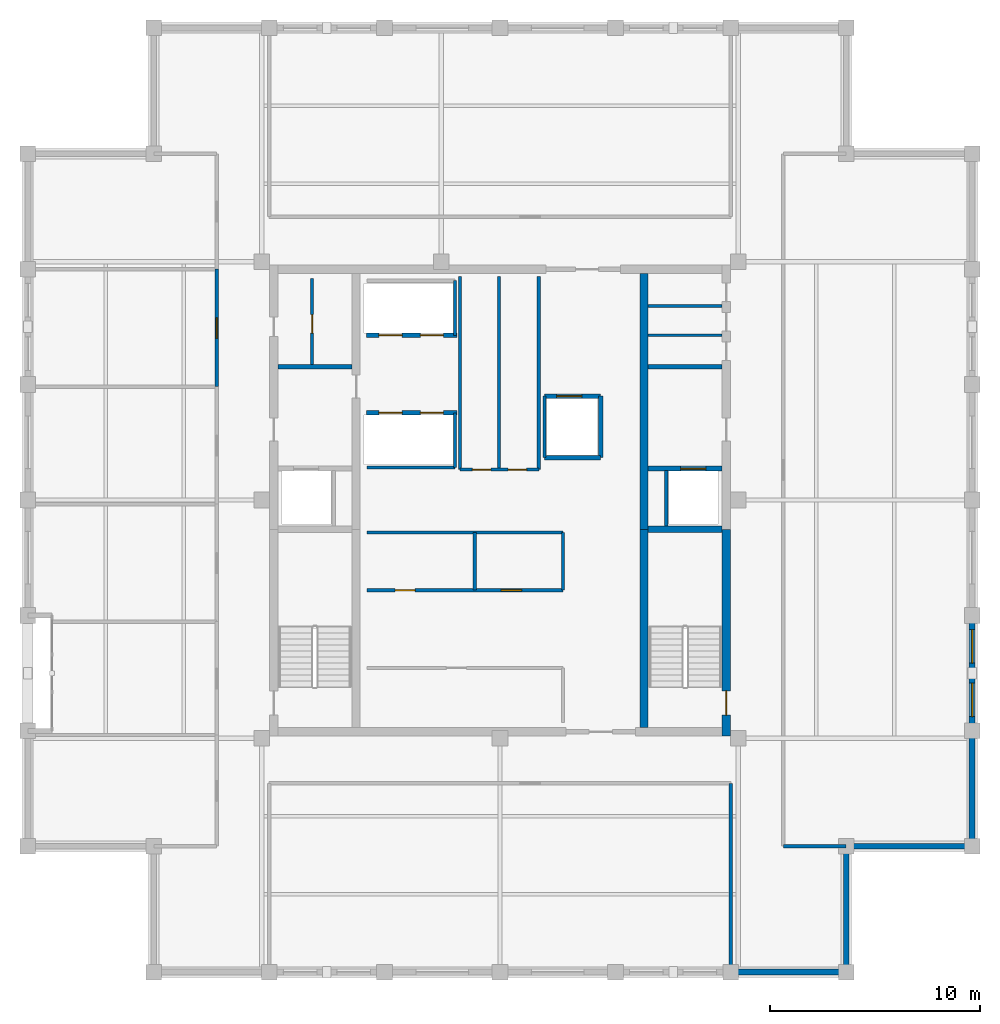
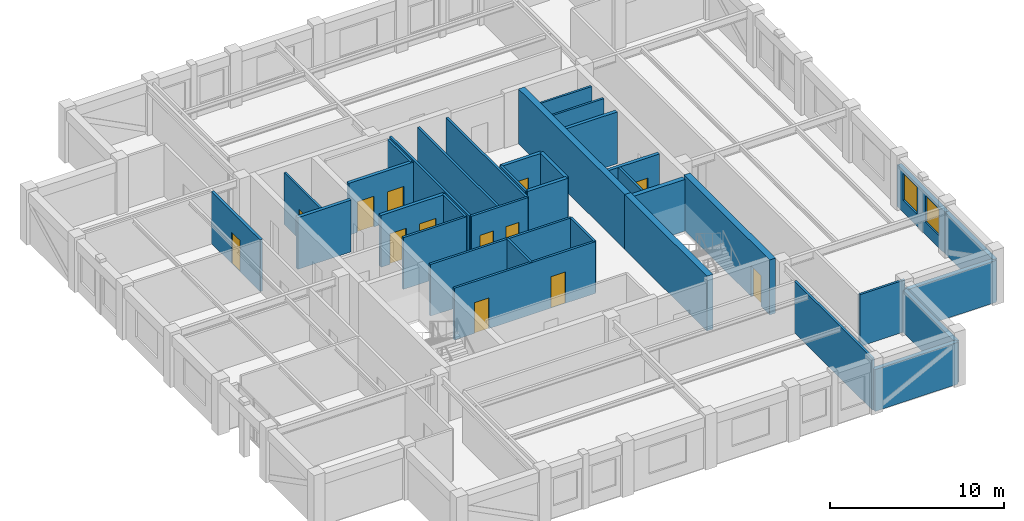
# One storey, part 7 of 10: 36 walls, 13 doors, 2 windows, 15 openings.
"""IFC4 building model written with IfcOpenShell, lengths in metres."""

from ifc_helpers import new_model, si_unit, direction, frame, frame_2d, origin, place, context, subcontext, project, spatial, rectangle, extrude, material, layer, layer_set, type_object, element, fill, save


model = new_model("IFC4")

# Units and contexts
model_context = context("Model", 3, precision=1e-05, world=origin(), true_north=direction((0.0, 1.0)))
body_context = subcontext(model_context, "Body", "Model", "MODEL_VIEW")
ifc_project = project(units=[si_unit("LENGTHUNIT", "METRE"), si_unit("AREAUNIT", "SQUARE_METRE"), si_unit("VOLUMEUNIT", "CUBIC_METRE"), si_unit("PLANEANGLEUNIT", "RADIAN"), si_unit("MASSUNIT", "GRAM", prefix="KILO")], contexts=[model_context])

# Site, building, storey
site_placement = place(None, origin())
site = spatial("IfcSite", under=ifc_project, at=site_placement, CompositionType="ELEMENT")
building_placement = place(site_placement, origin())
building = spatial("IfcBuilding", under=site, at=building_placement, Name="Nhamokura Convention Tower", CompositionType="ELEMENT")
storey_placement = place(building_placement, frame((0.0, 0.0, 304.5)))
storey = spatial("IfcBuildingStorey", under=building, at=storey_placement, Name="L75", CompositionType="ELEMENT", Elevation=304.5)

# Wall, opening, door
ifc_material_1 = material(Name="Moisture-resistant tile-backer partition", Category="masonry")
ifc_layer_1 = layer(ifc_material_1, 0.139892578125)
ifc_layer_set_1 = layer_set([ifc_layer_1], Name="BathroomWetWall_140")
wall_type_1 = type_object("IfcWallType", Name="BathroomWetWall_140", PredefinedType="STANDARD", material=ifc_layer_set_1)
wall_1_placement = place(storey_placement, frame((23.050048828125, 38.449951171875, 0.0), z_axis=(0.0, 0.0, 1.0), x_axis=(0.0, 1.0, 0.0)))
wall_1 = element("IfcWall", 1, at=wall_1_placement, inside=storey, type_object=wall_type_1, Name="L75 Wall INT-L75-CWNWV", PredefinedType="STANDARD", context=body_context, shape_type="SweptSolid", body=[
    extrude(rectangle(XDim=4.10009765625, YDim=0.139892578125, at=frame_2d((2.050048828125, 0.0))), origin(), (0.0, 0.0, 1.0), 3.6298828125),
])
opening_1_placement = place(wall_1_placement, frame((1.5, 0.0, 0.0)))
opening_1 = element("IfcOpeningElement", 2, at=opening_1_placement, cuts=wall_1, Name="Opening D-11", PredefinedType="OPENING", context=body_context, shape_type="SweptSolid", body=[
    extrude(rectangle(XDim=0.8798828125, YDim=2.10009765625, at=frame_2d((0.43994140625, 1.050048828125))), frame((0.0, 0.079833984375, 0.0), z_axis=(0.0, -1.0, 0.0), x_axis=(1.0, 0.0, 0.0)), (0.0, 0.0, 1.0), 0.159912109375),
])
ifc_material_2 = material(Name="Solid oak hardwood", Category="wood")
door_type_1 = type_object("IfcDoorType", Name="BathroomDoor_880", OperationType="NOTDEFINED", PredefinedType="DOOR", material=ifc_material_2)
door_1_placement = place(opening_1_placement, origin())
door_1 = element("IfcDoor", 3, at=door_1_placement, inside=storey, type_object=door_type_1, Name="L75 Inner Store Door", OperationType="SINGLE_SWING_LEFT", OverallHeight=2.10009765625, OverallWidth=0.8798828125, PredefinedType="DOOR", context=body_context, shape_type="SweptSolid", body=[
    extrude(rectangle(XDim=0.8798828125, YDim=2.10009765625, at=frame_2d((0.43994140625, 1.050048828125))), frame((0.0, 0.02490234375, 0.0), z_axis=(0.0, -1.0, 0.0), x_axis=(1.0, 0.0, 0.0)), (0.0, 0.0, 1.0), 0.050048828125),
])
fill(opening_1, door_1)

# Walls
for number, where, z_axis, x_axis, name in (
    (4, (39.06005859375, 39.85009765625, 0.0), (0.0, 0.0, 1.0), (1.0, 0.0, 0.0), "L75 Wall INT-L75-CWNE1"),
    (5, (39.06005859375, 41.25, 0.0), (0.0, 0.0, 1.0), (1.0, 0.0, 0.0), "L75 Wall INT-L75-CWNE2"),
):
    element("IfcWall", number, at=place(storey_placement, frame(where, z_axis=z_axis, x_axis=x_axis)), inside=storey, type_object=wall_type_1, Name=name, PredefinedType="STANDARD", context=body_context, shape_type="SweptSolid", body=[
        extrude(rectangle(XDim=3.530029296875, YDim=0.139892578125, at=frame_2d((1.76513671875, 0.0))), origin(), (0.0, 0.0, 1.0), 3.6298828125),
    ])
ifc_material_3 = material(Name="Bronze-pigmented precast concrete C45/55", Category="concrete")
ifc_layer_2 = layer(ifc_material_3, 0.280029296875)
ifc_layer_set_2 = layer_set([ifc_layer_2], Name="BronzePrecastSpandrel_280")
wall_type_2 = type_object("IfcWallType", Name="BronzePrecastSpandrel_280", PredefinedType="USERDEFINED", material=ifc_layer_set_2)
for number, where, z_axis, x_axis, name in (
    (6, (48.5, 9.5, 0.0), (0.0, 0.0, 1.0), (-1.0, 0.0, 0.0), "L75 Braced-Bay Precast Wall SOUTH 5"),
    (7, (54.5, 21.0, 0.0), (0.0, 0.0, 1.0), (0.0, -1.0, 0.0), "L75 Braced-Bay Precast Wall EAST 0"),
):
    element("IfcWall", number, at=place(storey_placement, frame(where, z_axis=z_axis, x_axis=x_axis)), inside=storey, type_object=wall_type_2, Name=name, ObjectType="SPANDREL_WALL", PredefinedType="USERDEFINED", context=body_context, shape_type="SweptSolid", body=[
        extrude(rectangle(XDim=5.5, YDim=0.280029296875, at=frame_2d((2.75, 0.0))), origin(), (0.0, 0.0, 1.0), 2.929931640625),
    ])

# Wall, openings, windows
wall_2_placement = place(storey_placement, frame((54.5, 26.5, 0.0), z_axis=(0.0, 0.0, 1.0), x_axis=(0.0, -1.0, 0.0)))
wall_2 = element("IfcWall", 8, at=wall_2_placement, inside=storey, type_object=wall_type_2, Name="L75 Masonry-Frame Wall EAST 1", ObjectType="SPANDREL_WALL", PredefinedType="USERDEFINED", context=body_context, shape_type="SweptSolid", body=[
    extrude(rectangle(XDim=5.5, YDim=0.280029296875, at=frame_2d((2.75, 0.0))), origin(), (0.0, 0.0, 1.0), 2.929931640625),
])
opening_2_placement = place(wall_2_placement, frame((0.675048828125, 0.0, 0.85009765625)))
opening_2 = element("IfcOpeningElement", 9, at=opening_2_placement, cuts=wall_2, Name="Opening W-11", PredefinedType="OPENING", context=body_context, shape_type="SweptSolid", body=[
    extrude(rectangle(XDim=1.60009765625, YDim=1.8798828125, at=frame_2d((0.800048828125, 0.93994140625))), frame((0.0, 0.14990234375, 0.0), z_axis=(0.0, -1.0, 0.0), x_axis=(1.0, 0.0, 0.0)), (0.0, 0.0, 1.0), 0.300048828125),
])
opening_3_placement = place(wall_2_placement, frame((3.22509765625, 0.0, 0.85009765625)))
opening_3 = element("IfcOpeningElement", 10, at=opening_3_placement, cuts=wall_2, Name="Opening W-11", PredefinedType="OPENING", context=body_context, shape_type="SweptSolid", body=[
    extrude(rectangle(XDim=1.60009765625, YDim=1.8798828125, at=frame_2d((0.800048828125, 0.93994140625))), frame((0.0, 0.14990234375, 0.0), z_axis=(0.0, -1.0, 0.0), x_axis=(1.0, 0.0, 0.0)), (0.0, 0.0, 1.0), 0.300048828125),
])
ifc_material_4 = material(Name="Solar-control bronze low-E double glass", Category="glass")
window_type = type_object("IfcWindowType", Name="NotchCornerWindow_1600", PartitioningType="SINGLE_PANEL", PredefinedType="WINDOW", material=ifc_material_4)
window_1_placement = place(opening_2_placement, origin())
window_1 = element("IfcWindow", 11, at=window_1_placement, inside=storey, type_object=window_type, Name="L75 Facade Window EAST 1-1", OverallHeight=1.8798828125, OverallWidth=1.60009765625, PartitioningType="SINGLE_PANEL", PredefinedType="WINDOW", context=body_context, shape_type="SweptSolid", body=[
    extrude(rectangle(XDim=1.60009765625, YDim=1.8798828125, at=frame_2d((0.800048828125, 0.93994140625))), frame((0.0, 0.030029296875, 0.0), z_axis=(0.0, -1.0, 0.0), x_axis=(1.0, 0.0, 0.0)), (0.0, 0.0, 1.0), 0.06005859375),
])
fill(opening_2, window_1)
window_2_placement = place(opening_3_placement, origin())
window_2 = element("IfcWindow", 12, at=window_2_placement, inside=storey, type_object=window_type, Name="L75 Facade Window EAST 1-2", OverallHeight=1.8798828125, OverallWidth=1.60009765625, PartitioningType="SINGLE_PANEL", PredefinedType="WINDOW", context=body_context, shape_type="SweptSolid", body=[
    extrude(rectangle(XDim=1.60009765625, YDim=1.8798828125, at=frame_2d((0.800048828125, 0.93994140625))), frame((0.0, 0.030029296875, 0.0), z_axis=(0.0, -1.0, 0.0), x_axis=(1.0, 0.0, 0.0)), (0.0, 0.0, 1.0), 0.06005859375),
])
fill(opening_3, window_2)

# Walls
for number, where, z_axis, x_axis, name in (
    (13, (48.5, 15.5, 0.0), (0.0, 0.0, 1.0), (0.0, -1.0, 0.0), "L75 Notched Corner Wall SE1"),
    (14, (54.5, 15.5, 0.0), (0.0, 0.0, 1.0), (-1.0, 0.0, 0.0), "L75 Notched Corner Wall SE2"),
):
    element("IfcWall", number, at=place(storey_placement, frame(where, z_axis=z_axis, x_axis=x_axis)), inside=storey, type_object=wall_type_2, Name=name, ObjectType="SPANDREL_WALL", PredefinedType="USERDEFINED", context=body_context, shape_type="SweptSolid", body=[
        extrude(rectangle(XDim=6.0, YDim=0.280029296875, at=frame_2d((3.0, 0.0))), origin(), (0.0, 0.0, 1.0), 2.929931640625),
    ])

# Wall, opening, door
ifc_material_5 = material(Name="Concrete C50/60", Category="concrete")
ifc_layer_3 = layer(ifc_material_5, 0.39990234375)
ifc_layer_set_3 = layer_set([ifc_layer_3], Name="CoreShearWall_400")
wall_type_3 = type_object("IfcWallType", Name="CoreShearWall_400", PredefinedType="SHEAR", material=ifc_layer_set_3)
wall_3_placement = place(storey_placement, frame((42.7900390625, 20.75, 0.0), z_axis=(0.0, 0.0, 1.0), x_axis=(0.0, 1.0, 0.0)))
wall_3 = element("IfcWall", 15, at=wall_3_placement, inside=storey, type_object=wall_type_3, Name="L75 Core Shear Wall CW-ES", PredefinedType="SHEAR", context=body_context, shape_type="SweptSolid", body=[
    extrude(rectangle(XDim=9.85009765625, YDim=0.39990234375, at=frame_2d((4.925048828125, 0.0))), origin(), (0.0, 0.0, 1.0), 3.85009765625),
])
opening_4_placement = place(wall_3_placement, frame((1.0, 0.0, 0.0)))
opening_4 = element("IfcOpeningElement", 16, at=opening_4_placement, cuts=wall_3, Name="Opening D-04", PredefinedType="OPENING", context=body_context, shape_type="SweptSolid", body=[
    extrude(rectangle(XDim=1.14990234375, YDim=2.14990234375, at=frame_2d((0.574951171875, 1.074951171875))), frame((0.0, 0.2099609375, 0.0), z_axis=(0.0, -1.0, 0.0), x_axis=(1.0, 0.0, 0.0)), (0.0, 0.0, 1.0), 0.419921875),
])
ifc_material_6 = material(Name="Fire-rated steel door", Category="steel")
door_type_2 = type_object("IfcDoorType", Name="StairSmokeDoor_1150", OperationType="NOTDEFINED", PredefinedType="DOOR", material=ifc_material_6)
door_2_placement = place(opening_4_placement, origin())
door_2 = element("IfcDoor", 17, at=door_2_placement, inside=storey, type_object=door_type_2, Name="L75 Core Door INT-L75-D-ST02", OperationType="SINGLE_SWING_RIGHT", OverallHeight=2.14990234375, OverallWidth=1.14990234375, PredefinedType="DOOR", context=body_context, shape_type="SweptSolid", body=[
    extrude(rectangle(XDim=1.14990234375, YDim=2.14990234375, at=frame_2d((0.574951171875, 1.074951171875))), frame((0.0, 0.02490234375, 0.0), z_axis=(0.0, -1.0, 0.0), x_axis=(1.0, 0.0, 0.0)), (0.0, 0.0, 1.0), 0.050048828125),
])
fill(opening_4, door_2)

# Walls
wall_4_placement = place(storey_placement, frame((38.860107421875, 21.14990234375, 0.0), z_axis=(0.0, 0.0, 1.0), x_axis=(0.0, 1.0, 0.0)))
element("IfcWall", 18, at=wall_4_placement, inside=storey, type_object=wall_type_3, Name="L75 Core Shear Wall CW-IES", PredefinedType="SHEAR", context=body_context, shape_type="SweptSolid", body=[
    extrude(rectangle(XDim=9.4501953125, YDim=0.39990234375, at=frame_2d((4.72509765625, 0.0))), origin(), (0.0, 0.0, 1.0), 3.85009765625),
])
wall_5_placement = place(storey_placement, frame((38.860107421875, 30.60009765625, 0.0), z_axis=(0.0, 0.0, 1.0), x_axis=(0.0, 1.0, 0.0)))
element("IfcWall", 19, at=wall_5_placement, inside=storey, type_object=wall_type_3, Name="L75 Core Shear Wall CW-IEN", PredefinedType="SHEAR", context=body_context, shape_type="SweptSolid", body=[
    extrude(rectangle(XDim=12.199951171875, YDim=0.39990234375, at=frame_2d((6.10009765625, 0.0))), origin(), (0.0, 0.0, 1.0), 3.85009765625),
])

# Wall, opening, door
ifc_material_7 = material(Name="Fire-rated gypsum and masonry partition", Category="masonry")
ifc_layer_4 = layer(ifc_material_7, 0.179931640625)
ifc_layer_set_4 = layer_set([ifc_layer_4], Name="CorridorRatedWall_180")
wall_type_4 = type_object("IfcWallType", Name="CorridorRatedWall_180", PredefinedType="STANDARD", material=ifc_layer_set_4)
wall_6_placement = place(storey_placement, frame((18.5, 37.39990234375, 0.0), z_axis=(0.0, 0.0, 1.0), x_axis=(0.0, 1.0, 0.0)))
wall_6 = element("IfcWall", 20, at=wall_6_placement, inside=storey, type_object=wall_type_4, Name="L75 Wall INT-L75-CW-W04", PredefinedType="STANDARD", context=body_context, shape_type="SweptSolid", body=[
    extrude(rectangle(XDim=5.60009765625, YDim=0.179931640625, at=frame_2d((2.800048828125, 0.0))), origin(), (0.0, 0.0, 1.0), 3.6298828125),
])
opening_5_placement = place(wall_6_placement, frame((2.300048828125, 0.0, 0.0)))
opening_5 = element("IfcOpeningElement", 21, at=opening_5_placement, cuts=wall_6, Name="Opening D-08", PredefinedType="OPENING", context=body_context, shape_type="SweptSolid", body=[
    extrude(rectangle(XDim=0.97998046875, YDim=2.199951171875, at=frame_2d((0.489990234375, 1.10009765625))), frame((0.0, 0.099853515625, 0.0), z_axis=(0.0, -1.0, 0.0), x_axis=(1.0, 0.0, 0.0)), (0.0, 0.0, 1.0), 0.199951171875),
])
ifc_material_8 = material(Name="Solid oak hardwood", Category="wood")
door_type_3 = type_object("IfcDoorType", Name="OfficeEntryDoor_980", OperationType="NOTDEFINED", PredefinedType="DOOR", material=ifc_material_8)
door_3_placement = place(opening_5_placement, origin())
door_3 = element("IfcDoor", 22, at=door_3_placement, inside=storey, type_object=door_type_3, Name="L75 Medical Clinic W05 Door", OperationType="SINGLE_SWING_LEFT", OverallHeight=2.199951171875, OverallWidth=0.97998046875, PredefinedType="DOOR", context=body_context, shape_type="SweptSolid", body=[
    extrude(rectangle(XDim=0.97998046875, YDim=2.199951171875, at=frame_2d((0.489990234375, 1.10009765625))), frame((0.0, 0.02490234375, 0.0), z_axis=(0.0, -1.0, 0.0), x_axis=(1.0, 0.0, 0.0)), (0.0, 0.0, 1.0), 0.050048828125),
])
fill(opening_5, door_3)

ifc_material_9 = material(Name="Autoclaved concrete blockwork", Category="masonry")
ifc_layer_5 = layer(ifc_material_9, 0.219970703125)
ifc_layer_set_5 = layer_set([ifc_layer_5], Name="FireLobbyWall_220")
wall_type_5 = type_object("IfcWallType", Name="FireLobbyWall_220", PredefinedType="STANDARD", material=ifc_layer_set_5)
wall_7_placement = place(storey_placement, frame((39.06005859375, 33.5, 0.0), z_axis=(0.0, 0.0, 1.0), x_axis=(1.0, 0.0, 0.0)))
wall_7 = element("IfcWall", 23, at=wall_7_placement, inside=storey, type_object=wall_type_5, Name="L75 Wall INT-L75-FFE-S", PredefinedType="STANDARD", context=body_context, shape_type="SweptSolid", body=[
    extrude(rectangle(XDim=3.530029296875, YDim=0.219970703125, at=frame_2d((1.76513671875, 0.0))), origin(), (0.0, 0.0, 1.0), 3.6298828125),
])
opening_6_placement = place(wall_7_placement, frame((1.550048828125, 0.0, 0.0)))
opening_6 = element("IfcOpeningElement", 24, at=opening_6_placement, cuts=wall_7, Name="Opening LD-02", PredefinedType="OPENING", context=body_context, shape_type="SweptSolid", body=[
    extrude(rectangle(XDim=1.199951171875, YDim=2.199951171875, at=frame_2d((0.60009765625, 1.10009765625))), frame((0.0, 0.119873046875, 0.0), z_axis=(0.0, -1.0, 0.0), x_axis=(1.0, 0.0, 0.0)), (0.0, 0.0, 1.0), 0.239990234375),
])
ifc_material_10 = material(Name="Anodised bronze stainless steel", Category="steel")
door_type_4 = type_object("IfcDoorType", Name="LiftLandingDoor_FireService", OperationType="DOUBLE_DOOR_SLIDING", PredefinedType="DOOR", material=ifc_material_10)
door_4_placement = place(opening_6_placement, origin())
door_4 = element("IfcDoor", 25, at=door_4_placement, inside=storey, type_object=door_type_4, Name="L75 Firefighting Lift LF-02 Door", OperationType="DOUBLE_DOOR_SLIDING", OverallHeight=2.199951171875, OverallWidth=1.199951171875, PredefinedType="DOOR", context=body_context, shape_type="SweptSolid", body=[
    extrude(rectangle(XDim=1.199951171875, YDim=2.199951171875, at=frame_2d((0.60009765625, 1.10009765625))), frame((0.0, 0.02490234375, 0.0), z_axis=(0.0, -1.0, 0.0), x_axis=(1.0, 0.0, 0.0)), (0.0, 0.0, 1.0), 0.050048828125),
])
fill(opening_6, door_4)

# Walls
for number, where, z_axis, x_axis, name in (
    (26, (21.409912109375, 38.35009765625, 0.0), (0.0, 0.0, 1.0), (1.0, 0.0, 0.0), "L75 Wall INT-L75-FFW-N"),
    (27, (39.06005859375, 38.35009765625, 0.0), (0.0, 0.0, 1.0), (1.0, 0.0, 0.0), "L75 Wall INT-L75-FFE-N"),
):
    element("IfcWall", number, at=place(storey_placement, frame(where, z_axis=z_axis, x_axis=x_axis)), inside=storey, type_object=wall_type_5, Name=name, PredefinedType="STANDARD", context=body_context, shape_type="SweptSolid", body=[
        extrude(rectangle(XDim=3.530029296875, YDim=0.219970703125, at=frame_2d((1.76513671875, 0.0))), origin(), (0.0, 0.0, 1.0), 3.6298828125),
    ])

# Wall, openings, doors
wall_8_placement = place(storey_placement, frame((25.64990234375, 36.14990234375, 0.0), z_axis=(0.0, 0.0, 1.0), x_axis=(1.0, 0.0, 0.0)))
wall_8 = element("IfcWall", 28, at=wall_8_placement, inside=storey, type_object=wall_type_5, Name="L75 Wall INT-L75-B3S", PredefinedType="STANDARD", context=body_context, shape_type="SweptSolid", body=[
    extrude(rectangle(XDim=4.300048828125, YDim=0.219970703125, at=frame_2d((2.14990234375, 0.0))), origin(), (0.0, 0.0, 1.0), 3.6298828125),
])
opening_7_placement = place(wall_8_placement, frame((0.580078125, 0.0, 0.0)))
opening_7 = element("IfcOpeningElement", 29, at=opening_7_placement, cuts=wall_8, Name="Opening LD-01", PredefinedType="OPENING", context=body_context, shape_type="SweptSolid", body=[
    extrude(rectangle(XDim=1.10009765625, YDim=2.14990234375, at=frame_2d((0.550048828125, 1.074951171875))), frame((0.0, 0.119873046875, 0.0), z_axis=(0.0, -1.0, 0.0), x_axis=(1.0, 0.0, 0.0)), (0.0, 0.0, 1.0), 0.239990234375),
])
opening_8_placement = place(wall_8_placement, frame((2.550048828125, 0.0, 0.0)))
opening_8 = element("IfcOpeningElement", 30, at=opening_8_placement, cuts=wall_8, Name="Opening LD-01", PredefinedType="OPENING", context=body_context, shape_type="SweptSolid", body=[
    extrude(rectangle(XDim=1.10009765625, YDim=2.14990234375, at=frame_2d((0.550048828125, 1.074951171875))), frame((0.0, 0.119873046875, 0.0), z_axis=(0.0, -1.0, 0.0), x_axis=(1.0, 0.0, 0.0)), (0.0, 0.0, 1.0), 0.239990234375),
])
ifc_material_11 = material(Name="Anodised bronze stainless steel", Category="steel")
door_type_5 = type_object("IfcDoorType", Name="LiftLandingDoor_Passenger", OperationType="DOUBLE_DOOR_SLIDING", PredefinedType="DOOR", material=ifc_material_11)
door_5_placement = place(opening_7_placement, origin())
door_5 = element("IfcDoor", 31, at=door_5_placement, inside=storey, type_object=door_type_5, Name="L75 Lift LP-09 Door", OperationType="DOUBLE_DOOR_SLIDING", OverallHeight=2.14990234375, OverallWidth=1.10009765625, PredefinedType="DOOR", context=body_context, shape_type="SweptSolid", body=[
    extrude(rectangle(XDim=1.10009765625, YDim=2.14990234375, at=frame_2d((0.550048828125, 1.074951171875))), frame((0.0, 0.02490234375, 0.0), z_axis=(0.0, -1.0, 0.0), x_axis=(1.0, 0.0, 0.0)), (0.0, 0.0, 1.0), 0.050048828125),
])
fill(opening_7, door_5)
door_6_placement = place(opening_8_placement, origin())
door_6 = element("IfcDoor", 32, at=door_6_placement, inside=storey, type_object=door_type_5, Name="L75 Lift LP-10 Door", OperationType="DOUBLE_DOOR_SLIDING", OverallHeight=2.14990234375, OverallWidth=1.10009765625, PredefinedType="DOOR", context=body_context, shape_type="SweptSolid", body=[
    extrude(rectangle(XDim=1.10009765625, YDim=2.14990234375, at=frame_2d((0.550048828125, 1.074951171875))), frame((0.0, 0.02490234375, 0.0), z_axis=(0.0, -1.0, 0.0), x_axis=(1.0, 0.0, 0.0)), (0.0, 0.0, 1.0), 0.050048828125),
])
fill(opening_8, door_6)

wall_9_placement = place(storey_placement, frame((25.64990234375, 39.85009765625, 0.0), z_axis=(0.0, 0.0, 1.0), x_axis=(1.0, 0.0, 0.0)))
wall_9 = element("IfcWall", 33, at=wall_9_placement, inside=storey, type_object=wall_type_5, Name="L75 Wall INT-L75-B3N", PredefinedType="STANDARD", context=body_context, shape_type="SweptSolid", body=[
    extrude(rectangle(XDim=4.300048828125, YDim=0.219970703125, at=frame_2d((2.14990234375, 0.0))), origin(), (0.0, 0.0, 1.0), 3.6298828125),
])
opening_9_placement = place(wall_9_placement, frame((0.580078125, 0.0, 0.0)))
opening_9 = element("IfcOpeningElement", 34, at=opening_9_placement, cuts=wall_9, Name="Opening LD-01", PredefinedType="OPENING", context=body_context, shape_type="SweptSolid", body=[
    extrude(rectangle(XDim=1.10009765625, YDim=2.14990234375, at=frame_2d((0.550048828125, 1.074951171875))), frame((0.0, 0.119873046875, 0.0), z_axis=(0.0, -1.0, 0.0), x_axis=(1.0, 0.0, 0.0)), (0.0, 0.0, 1.0), 0.239990234375),
])
opening_10_placement = place(wall_9_placement, frame((2.550048828125, 0.0, 0.0)))
opening_10 = element("IfcOpeningElement", 35, at=opening_10_placement, cuts=wall_9, Name="Opening LD-01", PredefinedType="OPENING", context=body_context, shape_type="SweptSolid", body=[
    extrude(rectangle(XDim=1.10009765625, YDim=2.14990234375, at=frame_2d((0.550048828125, 1.074951171875))), frame((0.0, 0.119873046875, 0.0), z_axis=(0.0, -1.0, 0.0), x_axis=(1.0, 0.0, 0.0)), (0.0, 0.0, 1.0), 0.239990234375),
])
door_7_placement = place(opening_9_placement, origin())
door_7 = element("IfcDoor", 36, at=door_7_placement, inside=storey, type_object=door_type_5, Name="L75 Lift LP-11 Door", OperationType="DOUBLE_DOOR_SLIDING", OverallHeight=2.14990234375, OverallWidth=1.10009765625, PredefinedType="DOOR", context=body_context, shape_type="SweptSolid", body=[
    extrude(rectangle(XDim=1.10009765625, YDim=2.14990234375, at=frame_2d((0.550048828125, 1.074951171875))), frame((0.0, 0.02490234375, 0.0), z_axis=(0.0, -1.0, 0.0), x_axis=(1.0, 0.0, 0.0)), (0.0, 0.0, 1.0), 0.050048828125),
])
fill(opening_9, door_7)
door_8_placement = place(opening_10_placement, origin())
door_8 = element("IfcDoor", 37, at=door_8_placement, inside=storey, type_object=door_type_5, Name="L75 Lift LP-12 Door", OperationType="DOUBLE_DOOR_SLIDING", OverallHeight=2.14990234375, OverallWidth=1.10009765625, PredefinedType="DOOR", context=body_context, shape_type="SweptSolid", body=[
    extrude(rectangle(XDim=1.10009765625, YDim=2.14990234375, at=frame_2d((0.550048828125, 1.074951171875))), frame((0.0, 0.02490234375, 0.0), z_axis=(0.0, -1.0, 0.0), x_axis=(1.0, 0.0, 0.0)), (0.0, 0.0, 1.0), 0.050048828125),
])
fill(opening_10, door_8)

# Wall, opening, door
wall_10_placement = place(storey_placement, frame((34.1201171875, 36.949951171875, 0.0), z_axis=(0.0, 0.0, 1.0), x_axis=(1.0, 0.0, 0.0)))
wall_10 = element("IfcWall", 38, at=wall_10_placement, inside=storey, type_object=wall_type_5, Name="L75 Wall INT-L75-LSN", PredefinedType="STANDARD", context=body_context, shape_type="SweptSolid", body=[
    extrude(rectangle(XDim=2.679931640625, YDim=0.219970703125, at=frame_2d((1.33984375, 0.0))), origin(), (0.0, 0.0, 1.0), 3.6298828125),
])
opening_11_placement = place(wall_10_placement, frame((0.580078125, 0.0, 0.0)))
opening_11 = element("IfcOpeningElement", 39, at=opening_11_placement, cuts=wall_10, Name="Opening LD-02", PredefinedType="OPENING", context=body_context, shape_type="SweptSolid", body=[
    extrude(rectangle(XDim=1.199951171875, YDim=2.199951171875, at=frame_2d((0.60009765625, 1.10009765625))), frame((0.0, 0.119873046875, 0.0), z_axis=(0.0, -1.0, 0.0), x_axis=(1.0, 0.0, 0.0)), (0.0, 0.0, 1.0), 0.239990234375),
])
door_9_placement = place(opening_11_placement, origin())
door_9 = element("IfcDoor", 40, at=door_9_placement, inside=storey, type_object=door_type_4, Name="L75 Service Lift LS-01 Door", OperationType="DOUBLE_DOOR_SLIDING", OverallHeight=2.199951171875, OverallWidth=1.199951171875, PredefinedType="DOOR", context=body_context, shape_type="SweptSolid", body=[
    extrude(rectangle(XDim=1.199951171875, YDim=2.199951171875, at=frame_2d((0.60009765625, 1.10009765625))), frame((0.0, 0.02490234375, 0.0), z_axis=(0.0, -1.0, 0.0), x_axis=(1.0, 0.0, 0.0)), (0.0, 0.0, 1.0), 0.050048828125),
])
fill(opening_11, door_9)

# Walls
wall_11_placement = place(storey_placement, frame((36.800048828125, 34.02001953125, 0.0), z_axis=(0.0, 0.0, 1.0), x_axis=(0.0, 1.0, 0.0)))
element("IfcWall", 41, at=wall_11_placement, inside=storey, type_object=wall_type_5, Name="L75 Wall INT-L75-LSE", PredefinedType="STANDARD", context=body_context, shape_type="SweptSolid", body=[
    extrude(rectangle(XDim=2.929931640625, YDim=0.219970703125, at=frame_2d((1.46484375, 0.0))), origin(), (0.0, 0.0, 1.0), 3.6298828125),
])
wall_12_placement = place(storey_placement, frame((34.1201171875, 34.02001953125, 0.0), z_axis=(0.0, 0.0, 1.0), x_axis=(1.0, 0.0, 0.0)))
element("IfcWall", 42, at=wall_12_placement, inside=storey, type_object=wall_type_5, Name="L75 Wall INT-L75-LSS", PredefinedType="STANDARD", context=body_context, shape_type="SweptSolid", body=[
    extrude(rectangle(XDim=2.679931640625, YDim=0.219970703125, at=frame_2d((1.33984375, 0.0))), origin(), (0.0, 0.0, 1.0), 3.6298828125),
])
ifc_material_12 = material(Name="Acoustic gypsum stud partition", Category="masonry")
ifc_layer_6 = layer(ifc_material_12, 0.14990234375)
ifc_layer_set_6 = layer_set([ifc_layer_6], Name="InteriorPartition_150")
wall_type_6 = type_object("IfcWallType", Name="InteriorPartition_150", PredefinedType="STANDARD", material=ifc_layer_set_6)
wall_13_placement = place(storey_placement, frame((39.919921875, 30.75, 0.0), z_axis=(0.0, 0.0, 1.0), x_axis=(0.0, 1.0, 0.0)))
element("IfcWall", 43, at=wall_13_placement, inside=storey, type_object=wall_type_6, Name="L75 Wall INT-L75-FF2-W", PredefinedType="STANDARD", context=body_context, shape_type="SweptSolid", body=[
    extrude(rectangle(XDim=2.64990234375, YDim=0.14990234375, at=frame_2d((1.324951171875, 0.0))), origin(), (0.0, 0.0, 1.0), 3.6298828125),
])

# Wall, openings, doors
wall_14_placement = place(storey_placement, frame((25.64990234375, 27.699951171875, 0.0), z_axis=(0.0, 0.0, 1.0), x_axis=(1.0, 0.0, 0.0)))
wall_14 = element("IfcWall", 44, at=wall_14_placement, inside=storey, type_object=wall_type_6, Name="L75 Wall INT-L75-B2R-S", PredefinedType="STANDARD", context=body_context, shape_type="SweptSolid", body=[
    extrude(rectangle(XDim=9.35009765625, YDim=0.14990234375, at=frame_2d((4.675048828125, 0.0))), origin(), (0.0, 0.0, 1.0), 3.6298828125),
])
opening_12_placement = place(wall_14_placement, frame((1.35009765625, 0.0, 0.0)))
opening_12 = element("IfcOpeningElement", 45, at=opening_12_placement, cuts=wall_14, Name="Opening D-09", PredefinedType="OPENING", context=body_context, shape_type="SweptSolid", body=[
    extrude(rectangle(XDim=0.949951171875, YDim=2.14990234375, at=frame_2d((0.47509765625, 1.074951171875))), frame((0.0, 0.0849609375, 0.0), z_axis=(0.0, -1.0, 0.0), x_axis=(1.0, 0.0, 0.0)), (0.0, 0.0, 1.0), 0.169921875),
])
opening_13_placement = place(wall_14_placement, frame((6.39990234375, 0.0, 0.0)))
opening_13 = element("IfcOpeningElement", 46, at=opening_13_placement, cuts=wall_14, Name="Opening D-08", PredefinedType="OPENING", context=body_context, shape_type="SweptSolid", body=[
    extrude(rectangle(XDim=0.97998046875, YDim=2.199951171875, at=frame_2d((0.489990234375, 1.10009765625))), frame((0.0, 0.0849609375, 0.0), z_axis=(0.0, -1.0, 0.0), x_axis=(1.0, 0.0, 0.0)), (0.0, 0.0, 1.0), 0.169921875),
])
ifc_material_13 = material(Name="Solid oak hardwood", Category="wood")
door_type_6 = type_object("IfcDoorType", Name="MeetingRoomDoor_950", OperationType="NOTDEFINED", PredefinedType="DOOR", material=ifc_material_13)
door_10_placement = place(opening_12_placement, origin())
door_10 = element("IfcDoor", 47, at=door_10_placement, inside=storey, type_object=door_type_6, Name="L75 Caucus Suite Door", OperationType="SINGLE_SWING_RIGHT", OverallHeight=2.14990234375, OverallWidth=0.949951171875, PredefinedType="DOOR", context=body_context, shape_type="SweptSolid", body=[
    extrude(rectangle(XDim=0.949951171875, YDim=2.14990234375, at=frame_2d((0.47509765625, 1.074951171875))), frame((0.0, 0.02490234375, 0.0), z_axis=(0.0, -1.0, 0.0), x_axis=(1.0, 0.0, 0.0)), (0.0, 0.0, 1.0), 0.050048828125),
])
fill(opening_12, door_10)
door_11_placement = place(opening_13_placement, origin())
door_11 = element("IfcDoor", 48, at=door_11_placement, inside=storey, type_object=door_type_3, Name="L75 Summit Pantry Door", OperationType="SINGLE_SWING_LEFT", OverallHeight=2.199951171875, OverallWidth=0.97998046875, PredefinedType="DOOR", context=body_context, shape_type="SweptSolid", body=[
    extrude(rectangle(XDim=0.97998046875, YDim=2.199951171875, at=frame_2d((0.489990234375, 1.10009765625))), frame((0.0, 0.02490234375, 0.0), z_axis=(0.0, -1.0, 0.0), x_axis=(1.0, 0.0, 0.0)), (0.0, 0.0, 1.0), 0.050048828125),
])
fill(opening_13, door_11)

# Walls
wall_15_placement = place(storey_placement, frame((25.64990234375, 30.449951171875, 0.0), z_axis=(0.0, 0.0, 1.0), x_axis=(1.0, 0.0, 0.0)))
element("IfcWall", 49, at=wall_15_placement, inside=storey, type_object=wall_type_6, Name="L75 Wall INT-L75-B2R-N", PredefinedType="STANDARD", context=body_context, shape_type="SweptSolid", body=[
    extrude(rectangle(XDim=9.35009765625, YDim=0.14990234375, at=frame_2d((4.675048828125, 0.0))), origin(), (0.0, 0.0, 1.0), 3.6298828125),
])
for number, where, z_axis, x_axis, name in (
    (50, (30.800048828125, 27.699951171875, 0.0), (0.0, 0.0, 1.0), (0.0, 1.0, 0.0), "L75 Wall INT-L75-B2R-M"),
    (51, (35.0, 27.699951171875, 0.0), (0.0, 0.0, 1.0), (0.0, 1.0, 0.0), "L75 Wall INT-L75-B2R-E"),
):
    element("IfcWall", number, at=place(storey_placement, frame(where, z_axis=z_axis, x_axis=x_axis)), inside=storey, type_object=wall_type_6, Name=name, PredefinedType="STANDARD", context=body_context, shape_type="SweptSolid", body=[
        extrude(rectangle(XDim=2.75, YDim=0.14990234375, at=frame_2d((1.375, 0.0))), origin(), (0.0, 0.0, 1.0), 3.6298828125),
    ])
wall_16_placement = place(storey_placement, frame((25.64990234375, 33.550048828125, 0.0), z_axis=(0.0, 0.0, 1.0), x_axis=(1.0, 0.0, 0.0)))
element("IfcWall", 52, at=wall_16_placement, inside=storey, type_object=wall_type_6, Name="L75 Wall INT-L75-B3A-S", PredefinedType="STANDARD", context=body_context, shape_type="SweptSolid", body=[
    extrude(rectangle(XDim=4.2001953125, YDim=0.14990234375, at=frame_2d((2.10009765625, 0.0))), origin(), (0.0, 0.0, 1.0), 3.6298828125),
])
for number, where, z_axis, x_axis, name in (
    (53, (29.85009765625, 33.550048828125, 0.0), (0.0, 0.0, 1.0), (0.0, 1.0, 0.0), "L75 Wall INT-L75-B3A-E"),
    (54, (29.85009765625, 39.85009765625, 0.0), (0.0, 0.0, 1.0), (0.0, 1.0, 0.0), "L75 Wall INT-L75-B3B-E"),
):
    element("IfcWall", number, at=place(storey_placement, frame(where, z_axis=z_axis, x_axis=x_axis)), inside=storey, type_object=wall_type_6, Name=name, PredefinedType="STANDARD", context=body_context, shape_type="SweptSolid", body=[
        extrude(rectangle(XDim=2.599853515625, YDim=0.14990234375, at=frame_2d((1.2998046875, 0.0))), origin(), (0.0, 0.0, 1.0), 3.6298828125),
    ])
for number, where, z_axis, x_axis, name in (
    (55, (30.10009765625, 33.449951171875, 0.0), (0.0, 0.0, 1.0), (0.0, 1.0, 0.0), "L75 Wall INT-L75-ST03W"),
    (56, (31.949951171875, 33.449951171875, 0.0), (0.0, 0.0, 1.0), (0.0, 1.0, 0.0), "L75 Wall INT-L75-ST03M"),
    (57, (33.85009765625, 33.449951171875, 0.0), (0.0, 0.0, 1.0), (0.0, 1.0, 0.0), "L75 Wall INT-L75-ST03E"),
):
    element("IfcWall", number, at=place(storey_placement, frame(where, z_axis=z_axis, x_axis=x_axis)), inside=storey, type_object=wall_type_6, Name=name, PredefinedType="STANDARD", context=body_context, shape_type="SweptSolid", body=[
        extrude(rectangle(XDim=9.199951171875, YDim=0.14990234375, at=frame_2d((4.60009765625, 0.0))), origin(), (0.0, 0.0, 1.0), 3.6298828125),
    ])

# Wall, openings, doors
wall_17_placement = place(storey_placement, frame((30.10009765625, 33.449951171875, 0.0), z_axis=(0.0, 0.0, 1.0), x_axis=(1.0, 0.0, 0.0)))
wall_17 = element("IfcWall", 58, at=wall_17_placement, inside=storey, type_object=wall_type_6, Name="L75 Wall INT-L75-ST03S", PredefinedType="STANDARD", context=body_context, shape_type="SweptSolid", body=[
    extrude(rectangle(XDim=3.75, YDim=0.14990234375, at=frame_2d((1.875, 0.0))), origin(), (0.0, 0.0, 1.0), 3.6298828125),
])
opening_14_placement = place(wall_17_placement, frame((0.580078125, 0.0, 0.0)))
opening_14 = element("IfcOpeningElement", 59, at=opening_14_placement, cuts=wall_17, Name="Opening D-11", PredefinedType="OPENING", context=body_context, shape_type="SweptSolid", body=[
    extrude(rectangle(XDim=0.8798828125, YDim=2.10009765625, at=frame_2d((0.43994140625, 1.050048828125))), frame((0.0, 0.0849609375, 0.0), z_axis=(0.0, -1.0, 0.0), x_axis=(1.0, 0.0, 0.0)), (0.0, 0.0, 1.0), 0.169921875),
])
opening_15_placement = place(wall_17_placement, frame((2.2900390625, 0.0, 0.0)))
opening_15 = element("IfcOpeningElement", 60, at=opening_15_placement, cuts=wall_17, Name="Opening D-11", PredefinedType="OPENING", context=body_context, shape_type="SweptSolid", body=[
    extrude(rectangle(XDim=0.8798828125, YDim=2.10009765625, at=frame_2d((0.43994140625, 1.050048828125))), frame((0.0, 0.0849609375, 0.0), z_axis=(0.0, -1.0, 0.0), x_axis=(1.0, 0.0, 0.0)), (0.0, 0.0, 1.0), 0.169921875),
])
door_12_placement = place(opening_14_placement, origin())
door_12 = element("IfcDoor", 61, at=door_12_placement, inside=storey, type_object=door_type_1, Name="L75 Wellness Suite Door", OperationType="SINGLE_SWING_LEFT", OverallHeight=2.10009765625, OverallWidth=0.8798828125, PredefinedType="DOOR", context=body_context, shape_type="SweptSolid", body=[
    extrude(rectangle(XDim=0.8798828125, YDim=2.10009765625, at=frame_2d((0.43994140625, 1.050048828125))), frame((0.0, 0.02490234375, 0.0), z_axis=(0.0, -1.0, 0.0), x_axis=(1.0, 0.0, 0.0)), (0.0, 0.0, 1.0), 0.050048828125),
])
fill(opening_14, door_12)
door_13_placement = place(opening_15_placement, origin())
door_13 = element("IfcDoor", 62, at=door_13_placement, inside=storey, type_object=door_type_1, Name="L75 Records Archive Door", OperationType="SINGLE_SWING_RIGHT", OverallHeight=2.10009765625, OverallWidth=0.8798828125, PredefinedType="DOOR", context=body_context, shape_type="SweptSolid", body=[
    extrude(rectangle(XDim=0.8798828125, YDim=2.10009765625, at=frame_2d((0.43994140625, 1.050048828125))), frame((0.0, 0.02490234375, 0.0), z_axis=(0.0, -1.0, 0.0), x_axis=(1.0, 0.0, 0.0)), (0.0, 0.0, 1.0), 0.050048828125),
])
fill(opening_15, door_13)

# Walls
wall_18_placement = place(storey_placement, frame((34.1201171875, 34.02001953125, 0.0), z_axis=(0.0, 0.0, 1.0), x_axis=(0.0, 1.0, 0.0)))
element("IfcWall", 63, at=wall_18_placement, inside=storey, type_object=wall_type_6, Name="L75 Wall INT-L75-LSW", PredefinedType="STANDARD", context=body_context, shape_type="SweptSolid", body=[
    extrude(rectangle(XDim=2.929931640625, YDim=0.14990234375, at=frame_2d((1.46484375, 0.0))), origin(), (0.0, 0.0, 1.0), 3.6298828125),
])
wall_19_placement = place(storey_placement, frame((43.0, 9.56005859375, 0.0), z_axis=(0.0, 0.0, 1.0), x_axis=(0.0, 1.0, 0.0)))
element("IfcWall", 64, at=wall_19_placement, inside=storey, type_object=wall_type_6, Name="L75 Wall INT-L75-RWR-S", PredefinedType="STANDARD", context=body_context, shape_type="SweptSolid", body=[
    extrude(rectangle(XDim=8.93994140625, YDim=0.14990234375, at=frame_2d((4.469970703125, 0.0))), origin(), (0.0, 0.0, 1.0), 3.6298828125),
])
wall_20_placement = place(storey_placement, frame((45.5, 15.5, 0.0), z_axis=(0.0, 0.0, 1.0), x_axis=(1.0, 0.0, 0.0)))
element("IfcWall", 65, at=wall_20_placement, inside=storey, type_object=wall_type_6, Name="L75 Wall INT-L75-VSTP-ES", PredefinedType="STANDARD", context=body_context, shape_type="SweptSolid", body=[
    extrude(rectangle(XDim=3.0, YDim=0.14990234375, at=frame_2d((1.5, 0.0))), origin(), (0.0, 0.0, 1.0), 3.6298828125),
])
ifc_material_14 = material(Name="Concrete C50/60", Category="concrete")
ifc_layer_7 = layer(ifc_material_14, 0.300048828125)
ifc_layer_set_7 = layer_set([ifc_layer_7], Name="ShaftEnclosureWall_300")
wall_type_7 = type_object("IfcWallType", Name="ShaftEnclosureWall_300", PredefinedType="SHEAR", material=ifc_layer_set_7)
wall_21_placement = place(storey_placement, frame((39.06005859375, 30.60009765625, 0.0), z_axis=(0.0, 0.0, 1.0), x_axis=(1.0, 0.0, 0.0)))
element("IfcWall", 66, at=wall_21_placement, inside=storey, type_object=wall_type_7, Name="L75 Wall INT-L75-ST02-N", PredefinedType="SHEAR", context=body_context, shape_type="SweptSolid", body=[
    extrude(rectangle(XDim=3.530029296875, YDim=0.300048828125, at=frame_2d((1.76513671875, 0.0))), origin(), (0.0, 0.0, 1.0), 3.6298828125),
])

save(model, "model.ifc")
